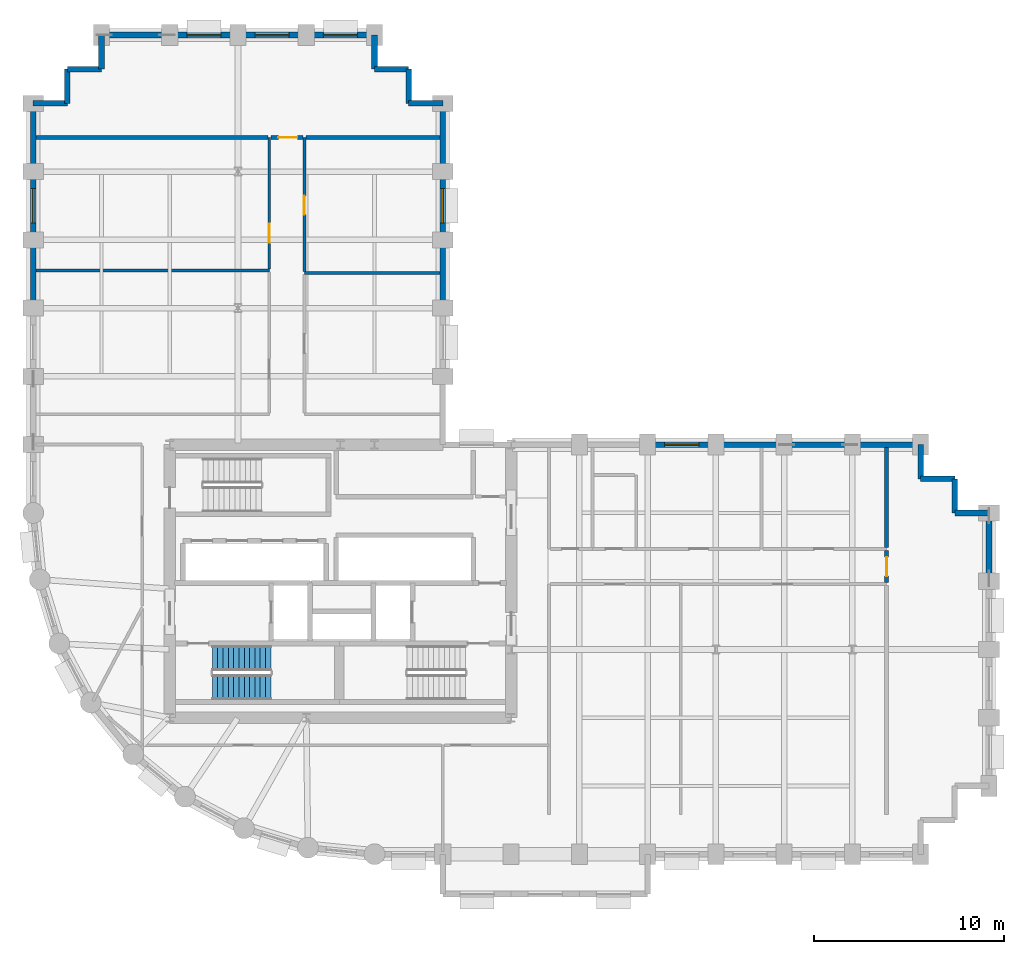
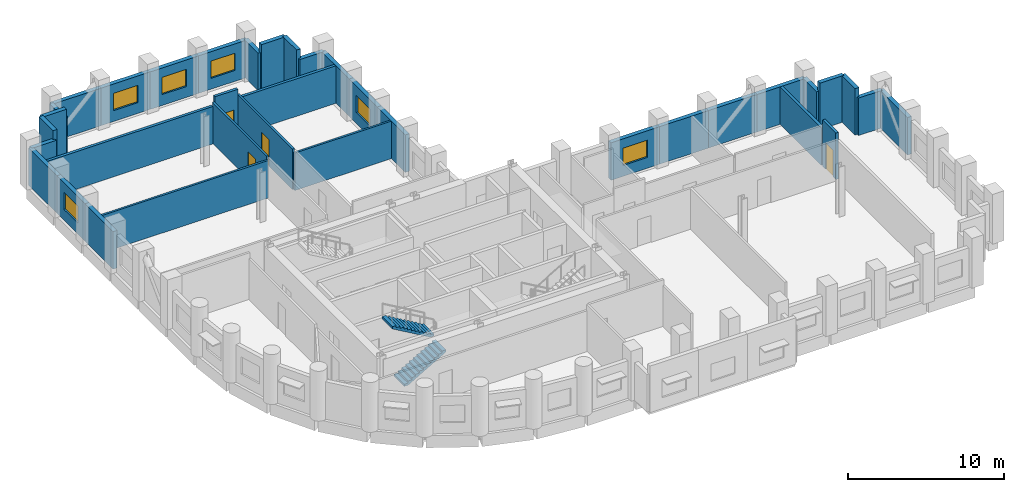
# One storey, part 6 of 10: 36 walls, 6 windows, 4 doors, 2 stair flights, 10 openings, 1 element without a shape of its own.
"""IFC4 building model written with IfcOpenShell, lengths in metres."""

import ifcopenshell
import ifcopenshell.guid

model = None  # the IFC model being written
_history = None  # IfcOwnerHistory: only IFC2X3 demands one
_inside = {}  # id of a spatial element -> (the spatial element, [elements in it])
_under = {}  # id of a project, library or spatial element -> (it, [spatial elements below it])
_declared = {}  # id of a project -> (the project, [libraries it declares])
_typed = {}  # id of a type object -> (the type object, [elements of that type])
_made_of = {}  # id of a material, layer set ... -> (it, [elements and type objects made of it])


def new_model(schema):
    """Start an empty IFC model of exactly this schema.

    Asked for "IFC4X3", IfcOpenShell would pick the latest addendum, in which some entities
    have other attributes; the version numbers below select the first issue.
    IFC2X3 requires an IfcOwnerHistory on every rooted entity: one is made here for all.
    """
    global model, _history
    if schema == "IFC4X3":
        model = ifcopenshell.file(schema_version=(4, 3, 0, 0))
    else:
        model = ifcopenshell.file(schema=schema)
    _inside.clear()
    _under.clear()
    _declared.clear()
    _typed.clear()
    _made_of.clear()
    _history = None
    if model.schema == "IFC2X3":
        org = make("IfcOrganization", Name="unknown")
        user = make(
            "IfcPersonAndOrganization",
            ThePerson=make("IfcPerson", FamilyName="unknown"),
            TheOrganization=org,
        )
        app = make(
            "IfcApplication",
            ApplicationDeveloper=org,
            Version="unknown",
            ApplicationFullName="unknown",
            ApplicationIdentifier="unknown",
        )
        _history = make(
            "IfcOwnerHistory",
            OwningUser=user,
            OwningApplication=app,
            ChangeAction="ADDED",
            CreationDate=0,
        )
    return model


def make(cls, **values):
    """One entity of the class cls with the attributes given. An attribute that is None is left unset."""
    return model.create_entity(
        cls, **{name: value for name, value in values.items() if value is not None}
    )


def rooted(cls, **values):
    """An entity with a GlobalId (a new one), such as an element, a storey or a relation."""
    return make(cls, GlobalId=ifcopenshell.guid.new(), OwnerHistory=_history, **values)


def si_unit(unit_type, name, prefix=None):
    """IfcSIUnit, for example si_unit("LENGTHUNIT", "METRE", prefix="MILLI")."""
    return make("IfcSIUnit", UnitType=unit_type, Prefix=prefix, Name=name)


def assignment(units):
    """IfcUnitAssignment: the units of a project."""
    return None if units is None else make("IfcUnitAssignment", Units=units)


def point(xyz):
    """IfcCartesianPoint."""
    return None if xyz is None else make("IfcCartesianPoint", Coordinates=xyz)


def direction(xyz):
    """IfcDirection."""
    return None if xyz is None else make("IfcDirection", DirectionRatios=xyz)


def frame(location, z_axis=None, x_axis=None):
    """IfcAxis2Placement3D, a coordinate frame: its origin and axes. An axis left out is left unset."""
    return make(
        "IfcAxis2Placement3D",
        Location=point(location),
        Axis=direction(z_axis),
        RefDirection=direction(x_axis),
    )


def frame_2d(location, x_axis=None):
    """IfcAxis2Placement2D, a coordinate frame in the plane: its origin and x axis."""
    return make(
        "IfcAxis2Placement2D", Location=point(location), RefDirection=direction(x_axis)
    )


def origin():
    """The frame at (0, 0, 0) with its axes left unset."""
    return frame((0.0, 0.0, 0.0))


def place(relative_to, where):
    """IfcLocalPlacement: puts the frame where relative to a parent placement (None: the world)."""
    return make(
        "IfcLocalPlacement", PlacementRelTo=relative_to, RelativePlacement=where
    )


def context(
    kind, dimensions, precision=None, world=None, true_north=None, identifier=None
):
    """IfcGeometricRepresentationContext, for example the 3D "Model" context."""
    return make(
        "IfcGeometricRepresentationContext",
        ContextIdentifier=identifier,
        ContextType=kind,
        CoordinateSpaceDimension=dimensions,
        Precision=precision,
        WorldCoordinateSystem=world,
        TrueNorth=true_north,
    )


def subcontext(parent, identifier, kind, view, scale=None):
    """IfcGeometricRepresentationSubContext, for example "Body" below "Model"."""
    return make(
        "IfcGeometricRepresentationSubContext",
        ContextIdentifier=identifier,
        ContextType=kind,
        ParentContext=parent,
        TargetScale=scale,
        TargetView=view,
    )


def project(units=None, contexts=None):
    """IfcProject with its units and contexts."""
    return rooted(
        "IfcProject",
        Name="project",
        RepresentationContexts=contexts,
        UnitsInContext=assignment(units),
    )


def spatial(cls, under=None, at=None, **own):
    """A site, building, storey or space (cls), placed at a placement, below another one or the project."""
    s = rooted(cls, ObjectPlacement=at, **own)
    if under is not None:
        _under.setdefault(under.id(), (under, []))[1].append(s)
    return s


def polyline(points):
    """IfcPolyline through the points."""
    return make("IfcPolyline", Points=[point(p) for p in points])


def profile(cls, at=None, kind="AREA", **sizes):
    """A parametric profile (cls). Its sizes go by their IFC names, for example OverallWidth=200.0."""
    return make(cls, ProfileType=kind, Position=at, **sizes)


def rectangle(**sizes):
    """IfcRectangleProfileDef."""
    return profile("IfcRectangleProfileDef", **sizes)


def outline(outer, holes=None, kind="AREA"):
    """IfcArbitraryClosedProfileDef: a profile drawn as a closed curve; with holes, ...WithVoids."""
    if holes is None:
        return make("IfcArbitraryClosedProfileDef", ProfileType=kind, OuterCurve=outer)
    return make(
        "IfcArbitraryProfileDefWithVoids",
        ProfileType=kind,
        OuterCurve=outer,
        InnerCurves=holes,
    )


def extrude(swept, where, along, depth):
    """IfcExtrudedAreaSolid: the profile swept, set in the frame where, extruded along a direction by depth."""
    return make(
        "IfcExtrudedAreaSolid",
        SweptArea=swept,
        Position=where,
        ExtrudedDirection=direction(along),
        Depth=depth,
    )


def shape(context_of_items, identifier, shape_type, items):
    """IfcShapeRepresentation: the items that make up one representation, for example the "Body"."""
    return make(
        "IfcShapeRepresentation",
        ContextOfItems=context_of_items,
        RepresentationIdentifier=identifier,
        RepresentationType=shape_type,
        Items=items,
    )


def material(Name=None, Category=None):
    """IfcMaterial."""
    return make("IfcMaterial", Name=Name, Category=Category)


def layer(
    of_material, thickness, ventilated=None, Name=None, Category=None, Priority=None
):
    """IfcMaterialLayer: one layer of a wall or slab, of a material (None: an air gap)."""
    return make(
        "IfcMaterialLayer",
        Material=of_material,
        LayerThickness=thickness,
        IsVentilated=ventilated,
        Name=Name,
        Category=Category,
        Priority=Priority,
    )


def layer_set(layers, Name=None):
    """IfcMaterialLayerSet."""
    return make("IfcMaterialLayerSet", MaterialLayers=layers, LayerSetName=Name)


def made_of(thing, what):
    """Note that an element or type object is made of a material, layer set ...; save() writes the relation."""
    if what is not None:
        _made_of.setdefault(what.id(), (what, []))[1].append(thing)
    return thing


def type_object(cls, material=None, **own):
    """A type object (cls), such as IfcWallType, which elements share."""
    return made_of(rooted(cls, **own), material)


def element(
    cls,
    number,
    at=None,
    inside=None,
    cuts=None,
    type_object=None,
    material=None,
    context=None,
    identifier="Body",
    shape_type=None,
    held_by="IfcProductDefinitionShape",
    body=None,
    shapes=None,
    **own,
):
    """One element of the class cls, such as IfcWall. Its Tag is "e" and its number.

    at: its placement. inside: the storey or other place that contains it. cuts: it is an
    opening in that element (IfcRelVoidsElement). A single representation is given by context,
    identifier, shape_type and body (its items); several are given by shapes. held_by: the class
    of the entity that holds the representations. save() writes the other relations.
    """
    e = rooted(cls, Tag="e%d" % number, ObjectPlacement=at, **own)
    if body is not None:
        shapes = [shape(context, identifier, shape_type, body)]
    if shapes is not None:
        e.Representation = make(held_by, Representations=shapes)
    if inside is not None:
        _inside.setdefault(inside.id(), (inside, []))[1].append(e)
    if cuts is not None:
        rooted(
            "IfcRelVoidsElement", RelatingBuildingElement=cuts, RelatedOpeningElement=e
        )
    if type_object is not None:
        _typed.setdefault(type_object.id(), (type_object, []))[1].append(e)
    return made_of(e, material)


def fill(opening, filler):
    """IfcRelFillsElement: the door or window that sits in an opening."""
    return rooted(
        "IfcRelFillsElement",
        RelatingOpeningElement=opening,
        RelatedBuildingElement=filler,
    )


def aggregate(whole, parts):
    """IfcRelAggregates: a whole, such as a stair, and the parts it consists of."""
    return rooted("IfcRelAggregates", RelatingObject=whole, RelatedObjects=parts)


def save(model, path):
    """Write the relations noted so far, then the file.

    IfcRelAggregates (storeys below a building ...), IfcRelContainedInSpatialStructure (elements
    in a storey), IfcRelDefinesByType, IfcRelAssociatesMaterial and IfcRelDeclares: one each for
    every whole, place, type object, material and project.
    """
    for whole, parts in _under.values():
        aggregate(whole, parts)
    for where, things in _inside.values():
        rooted(
            "IfcRelContainedInSpatialStructure",
            RelatedElements=things,
            RelatingStructure=where,
        )
    for kind, things in _typed.values():
        rooted("IfcRelDefinesByType", RelatedObjects=things, RelatingType=kind)
    for what, things in _made_of.values():
        rooted("IfcRelAssociatesMaterial", RelatedObjects=things, RelatingMaterial=what)
    for by, libraries in _declared.values():
        rooted("IfcRelDeclares", RelatingContext=by, RelatedDefinitions=libraries)
    model.write(path)


model = new_model("IFC4")

# Units and contexts
model_context = context("Model", 3, precision=1e-05, world=origin(), true_north=direction((0.0, 1.0)))
body_context = subcontext(model_context, "Body", "Model", "MODEL_VIEW")
ifc_project = project(units=[si_unit("LENGTHUNIT", "METRE"), si_unit("AREAUNIT", "SQUARE_METRE"), si_unit("VOLUMEUNIT", "CUBIC_METRE"), si_unit("PLANEANGLEUNIT", "RADIAN"), si_unit("MASSUNIT", "GRAM", prefix="KILO")], contexts=[model_context])

# Site, building, storey
site_placement = place(None, origin())
site = spatial("IfcSite", under=ifc_project, at=site_placement, CompositionType="ELEMENT")
building_placement = place(site_placement, origin())
building = spatial("IfcBuilding", under=site, at=building_placement, Name="Solnavia Interchange Tower", CompositionType="ELEMENT")
storey_placement = place(building_placement, frame((0.0, 0.0, 95.699951171875)))
storey = spatial("IfcBuildingStorey", under=building, at=storey_placement, Name="L23", CompositionType="ELEMENT", Elevation=95.699951171875)

# Wall
ifc_material_1 = material(Name="Gypsum Acoustic Twin-Stud & Mineral Wool", Category="gypsum")
ifc_layer_1 = layer(ifc_material_1, 0.199951171875)
ifc_layer_set_1 = layer_set([ifc_layer_1], Name="Gypsum Acoustic Twin-Stud & Mineral Wool")
wall_type_1 = type_object("IfcWallType", Name="Wall-ApartmentParty-200", PredefinedType="PARTITIONING", material=ifc_layer_set_1)
wall_1_placement = place(storey_placement, frame((52.199951171875, 19.779052734375, 0.0), z_axis=(0.0, 0.0, 1.0), x_axis=(0.0, 1.0, 0.0)))
element("IfcWall", 1, at=wall_1_placement, inside=storey, type_object=wall_type_1, Name="PTW-L23-23 Interior partition wall", PredefinedType="PARTITIONING", context=body_context, shape_type="SweptSolid", body=[
    extrude(rectangle(XDim=5.266845703125, YDim=0.199951171875, at=frame_2d((2.63330078125, 0.0))), origin(), (0.0, 0.0, 1.0), 2.929931640625),
])

# Wall, opening, door
wall_2_placement = place(storey_placement, frame((52.199951171875, 17.928955078125, 0.0), z_axis=(0.0, 0.0, 1.0), x_axis=(0.0, 1.0, 0.0)))
wall_2 = element("IfcWall", 2, at=wall_2_placement, inside=storey, type_object=wall_type_1, Name="PTW-L23-24 Interior partition wall", PredefinedType="PARTITIONING", context=body_context, shape_type="SweptSolid", body=[
    extrude(rectangle(XDim=1.692138671875, YDim=0.199951171875, at=frame_2d((0.84619140625, 0.0))), origin(), (0.0, 0.0, 1.0), 3.635009765625),
])
opening_1_placement = place(wall_2_placement, frame((0.339111328125, 0.0, 0.0)))
opening_1 = element("IfcOpeningElement", 3, at=opening_1_placement, cuts=wall_2, Name="Opening DR-06", PredefinedType="OPENING", context=body_context, shape_type="SweptSolid", body=[
    extrude(rectangle(XDim=1.0, YDim=2.10009765625, at=frame_2d((0.5, 1.050048828125))), frame((0.0, 0.10986328125, 0.0), z_axis=(0.0, -1.0, 0.0), x_axis=(1.0, 0.0, 0.0)), (0.0, 0.0, 1.0), 0.219970703125),
])
ifc_material_2 = material(Name="Engineered Timber Acoustic Fire Door", Category="wood")
door_type_1 = type_object("IfcDoorType", Name="Door-FlatEntry-1000x2100", OperationType="SINGLE_SWING_LEFT", PredefinedType="DOOR", material=ifc_material_2)
door_1_placement = place(opening_1_placement, origin())
door_1 = element("IfcDoor", 4, at=door_1_placement, inside=storey, type_object=door_type_1, Name="DR-L23-11 Interior room door", OperationType="SINGLE_SWING_RIGHT", OverallHeight=2.10009765625, OverallWidth=1.0, PredefinedType="DOOR", context=body_context, shape_type="SweptSolid", body=[
    extrude(rectangle(XDim=1.0, YDim=2.10009765625, at=frame_2d((0.5, 1.050048828125))), frame((0.0, 0.02490234375, 0.0), z_axis=(0.0, -1.0, 0.0), x_axis=(1.0, 0.0, 0.0)), (0.0, 0.0, 1.0), 0.050048828125),
])
fill(opening_1, door_1)

# Walls
wall_3_placement = place(storey_placement, frame((7.35400390625, 41.39990234375, 0.0), z_axis=(0.0, 0.0, 1.0), x_axis=(1.0, 0.0, 0.0)))
element("IfcWall", 5, at=wall_3_placement, inside=storey, type_object=wall_type_1, Name="PTW-L23-33 Interior partition wall", PredefinedType="PARTITIONING", context=body_context, shape_type="SweptSolid", body=[
    extrude(rectangle(XDim=12.217041015625, YDim=0.199951171875, at=frame_2d((6.1083984375, 0.0))), origin(), (0.0, 0.0, 1.0), 2.929931640625),
])
wall_4_placement = place(storey_placement, frame((21.5791015625, 41.39990234375, 0.0), z_axis=(0.0, 0.0, 1.0), x_axis=(1.0, 0.0, 0.0)))
element("IfcWall", 6, at=wall_4_placement, inside=storey, type_object=wall_type_1, Name="PTW-L23-34 Interior partition wall", PredefinedType="PARTITIONING", context=body_context, shape_type="SweptSolid", body=[
    extrude(rectangle(XDim=7.06689453125, YDim=0.199951171875, at=frame_2d((3.533447265625, 0.0))), origin(), (0.0, 0.0, 1.0), 2.929931640625),
])

# Wall, opening, door
wall_5_placement = place(storey_placement, frame((19.72900390625, 41.39990234375, 0.0), z_axis=(0.0, 0.0, 1.0), x_axis=(1.0, 0.0, 0.0)))
wall_5 = element("IfcWall", 7, at=wall_5_placement, inside=storey, type_object=wall_type_1, Name="PTW-L23-35 Interior partition wall", PredefinedType="PARTITIONING", context=body_context, shape_type="SweptSolid", body=[
    extrude(rectangle(XDim=1.69189453125, YDim=0.199951171875, at=frame_2d((0.845947265625, 0.0))), origin(), (0.0, 0.0, 1.0), 3.635009765625),
])
opening_2_placement = place(wall_5_placement, frame((0.405029296875, 0.0, 0.0)))
opening_2 = element("IfcOpeningElement", 8, at=opening_2_placement, cuts=wall_5, Name="Opening DR-06", PredefinedType="OPENING", context=body_context, shape_type="SweptSolid", body=[
    extrude(rectangle(XDim=1.0, YDim=2.10009765625, at=frame_2d((0.5, 1.050048828125))), frame((0.0, 0.10986328125, 0.0), z_axis=(0.0, -1.0, 0.0), x_axis=(1.0, 0.0, 0.0)), (0.0, 0.0, 1.0), 0.219970703125),
])
door_2_placement = place(opening_2_placement, origin())
door_2 = element("IfcDoor", 9, at=door_2_placement, inside=storey, type_object=door_type_1, Name="DR-L23-16 Interior room door", OperationType="SINGLE_SWING_LEFT", OverallHeight=2.10009765625, OverallWidth=1.0, PredefinedType="DOOR", context=body_context, shape_type="SweptSolid", body=[
    extrude(rectangle(XDim=1.0, YDim=2.10009765625, at=frame_2d((0.5, 1.050048828125))), frame((0.0, 0.02490234375, 0.0), z_axis=(0.0, -1.0, 0.0), x_axis=(1.0, 0.0, 0.0)), (0.0, 0.0, 1.0), 0.050048828125),
])
fill(opening_2, door_2)

# Walls
ifc_material_3 = material(Name="Concrete C40/50", Category="concrete")
ifc_layer_2 = layer(ifc_material_3, 0.300048828125)
ifc_layer_set_2 = layer_set([ifc_layer_2], Name="Concrete C40/50")
wall_type_2 = type_object("IfcWallType", Name="Wall-ExtSpandrel-300", PredefinedType="STANDARD", material=ifc_layer_set_2)
wall_6_placement = place(storey_placement, frame((57.60009765625, 21.60009765625, 0.0), z_axis=(0.0, 0.0, 1.0), x_axis=(0.0, -1.0, 0.0)))
element("IfcWall", 10, at=wall_6_placement, inside=storey, type_object=wall_type_2, Name="EXW-L23-18 Exterior precast spandrel wall", PredefinedType="STANDARD", context=body_context, shape_type="SweptSolid", body=[
    extrude(rectangle(XDim=3.60009765625, YDim=0.300048828125, at=frame_2d((1.800048828125, 0.0))), origin(), (0.0, 0.0, 1.0), 2.929931640625),
])
wall_7_placement = place(storey_placement, frame((55.800048828125, 21.60009765625, 0.0), z_axis=(0.0, 0.0, 1.0), x_axis=(1.0, 0.0, 0.0)))
element("IfcWall", 11, at=wall_7_placement, inside=storey, type_object=wall_type_2, Name="EXW-L23-19 Exterior precast spandrel wall", PredefinedType="STANDARD", context=body_context, shape_type="SweptSolid", body=[
    extrude(rectangle(XDim=1.800048828125, YDim=0.300048828125, at=frame_2d((0.89990234375, 0.0))), origin(), (0.0, 0.0, 1.0), 2.929931640625),
])
wall_8_placement = place(storey_placement, frame((55.800048828125, 23.39990234375, 0.0), z_axis=(0.0, 0.0, 1.0), x_axis=(0.0, -1.0, 0.0)))
element("IfcWall", 12, at=wall_8_placement, inside=storey, type_object=wall_type_2, Name="EXW-L23-20 Exterior precast spandrel wall", PredefinedType="STANDARD", context=body_context, shape_type="SweptSolid", body=[
    extrude(rectangle(XDim=1.7998046875, YDim=0.300048828125, at=frame_2d((0.89990234375, 0.0))), origin(), (0.0, 0.0, 1.0), 3.635009765625),
])
wall_9_placement = place(storey_placement, frame((54.0, 23.39990234375, 0.0), z_axis=(0.0, 0.0, 1.0), x_axis=(1.0, 0.0, 0.0)))
element("IfcWall", 13, at=wall_9_placement, inside=storey, type_object=wall_type_2, Name="EXW-L23-21 Exterior precast spandrel wall", PredefinedType="STANDARD", context=body_context, shape_type="SweptSolid", body=[
    extrude(rectangle(XDim=1.800048828125, YDim=0.300048828125, at=frame_2d((0.89990234375, 0.0))), origin(), (0.0, 0.0, 1.0), 3.635009765625),
])
wall_10_placement = place(storey_placement, frame((54.0, 25.199951171875, 0.0), z_axis=(0.0, 0.0, 1.0), x_axis=(0.0, -1.0, 0.0)))
element("IfcWall", 14, at=wall_10_placement, inside=storey, type_object=wall_type_2, Name="EXW-L23-22 Exterior precast spandrel wall", PredefinedType="STANDARD", context=body_context, shape_type="SweptSolid", body=[
    extrude(rectangle(XDim=1.800048828125, YDim=0.300048828125, at=frame_2d((0.89990234375, 0.0))), origin(), (0.0, 0.0, 1.0), 2.929931640625),
])
wall_11_placement = place(storey_placement, frame((50.39990234375, 25.199951171875, 0.0), z_axis=(0.0, 0.0, 1.0), x_axis=(1.0, 0.0, 0.0)))
element("IfcWall", 15, at=wall_11_placement, inside=storey, type_object=wall_type_2, Name="EXW-L23-23 Exterior precast spandrel wall", PredefinedType="STANDARD", context=body_context, shape_type="SweptSolid", body=[
    extrude(rectangle(XDim=3.60009765625, YDim=0.300048828125, at=frame_2d((1.800048828125, 0.0))), origin(), (0.0, 0.0, 1.0), 2.929931640625),
])
wall_12_placement = place(storey_placement, frame((46.800048828125, 25.199951171875, 0.0), z_axis=(0.0, 0.0, 1.0), x_axis=(1.0, 0.0, 0.0)))
element("IfcWall", 16, at=wall_12_placement, inside=storey, type_object=wall_type_2, Name="EXW-L23-24 Exterior precast spandrel wall", PredefinedType="STANDARD", context=body_context, shape_type="SweptSolid", body=[
    extrude(rectangle(XDim=3.599853515625, YDim=0.300048828125, at=frame_2d((1.7998046875, 0.0))), origin(), (0.0, 0.0, 1.0), 2.929931640625),
])
wall_13_placement = place(storey_placement, frame((43.199951171875, 25.199951171875, 0.0), z_axis=(0.0, 0.0, 1.0), x_axis=(1.0, 0.0, 0.0)))
element("IfcWall", 17, at=wall_13_placement, inside=storey, type_object=wall_type_2, Name="EXW-L23-25 Exterior precast spandrel wall", PredefinedType="STANDARD", context=body_context, shape_type="SweptSolid", body=[
    extrude(rectangle(XDim=3.60009765625, YDim=0.300048828125, at=frame_2d((1.800048828125, 0.0))), origin(), (0.0, 0.0, 1.0), 2.929931640625),
])

# Wall, opening, window
wall_14_placement = place(storey_placement, frame((39.60009765625, 25.199951171875, 0.0), z_axis=(0.0, 0.0, 1.0), x_axis=(1.0, 0.0, 0.0)))
wall_14 = element("IfcWall", 18, at=wall_14_placement, inside=storey, type_object=wall_type_2, Name="EXW-L23-26 Exterior precast spandrel wall", PredefinedType="STANDARD", context=body_context, shape_type="SweptSolid", body=[
    extrude(rectangle(XDim=3.599853515625, YDim=0.300048828125, at=frame_2d((1.7998046875, 0.0))), origin(), (0.0, 0.0, 1.0), 2.929931640625),
])
opening_3_placement = place(wall_14_placement, frame((0.89990234375, 0.0, 0.85009765625)))
opening_3 = element("IfcOpeningElement", 19, at=opening_3_placement, cuts=wall_14, Name="Opening WIN-02", PredefinedType="OPENING", context=body_context, shape_type="SweptSolid", body=[
    extrude(rectangle(XDim=1.800048828125, YDim=1.35009765625, at=frame_2d((0.89990234375, 0.675048828125))), frame((0.0, 0.16015625, 0.0), z_axis=(0.0, -1.0, 0.0), x_axis=(1.0, 0.0, 0.0)), (0.0, 0.0, 1.0), 0.320068359375),
])
ifc_material_4 = material(Name="Thermal-Break Aluminium & Low-E Glass", Category="aluminium")
window_type = type_object("IfcWindowType", Name="Window-Ribbon-1800x1350", PartitioningType="SINGLE_PANEL", PredefinedType="WINDOW", material=ifc_material_4)
window_1_placement = place(opening_3_placement, origin())
window_1 = element("IfcWindow", 20, at=window_1_placement, inside=storey, type_object=window_type, Name="WIN-L23-26 Facade ribbon window", OverallHeight=1.35009765625, OverallWidth=1.800048828125, PartitioningType="SINGLE_PANEL", PredefinedType="WINDOW", context=body_context, shape_type="SweptSolid", body=[
    extrude(rectangle(XDim=1.800048828125, YDim=1.35009765625, at=frame_2d((0.89990234375, 0.675048828125))), frame((0.0, 0.030029296875, 0.0), z_axis=(0.0, -1.0, 0.0), x_axis=(1.0, 0.0, 0.0)), (0.0, 0.0, 1.0), 0.06005859375),
])
fill(opening_3, window_1)

# Wall
wall_15_placement = place(storey_placement, frame((28.800048828125, 36.0, 0.0), z_axis=(0.0, 0.0, 1.0), x_axis=(0.0, -1.0, 0.0)))
element("IfcWall", 21, at=wall_15_placement, inside=storey, type_object=wall_type_2, Name="EXW-L23-32 Exterior precast spandrel wall", PredefinedType="STANDARD", context=body_context, shape_type="SweptSolid", body=[
    extrude(rectangle(XDim=3.60009765625, YDim=0.300048828125, at=frame_2d((1.800048828125, 0.0))), origin(), (0.0, 0.0, 1.0), 2.929931640625),
])

# Wall, opening, window
wall_16_placement = place(storey_placement, frame((28.800048828125, 39.60009765625, 0.0), z_axis=(0.0, 0.0, 1.0), x_axis=(0.0, -1.0, 0.0)))
wall_16 = element("IfcWall", 22, at=wall_16_placement, inside=storey, type_object=wall_type_2, Name="EXW-L23-33 Exterior precast spandrel wall", PredefinedType="STANDARD", context=body_context, shape_type="SweptSolid", body=[
    extrude(rectangle(XDim=3.60009765625, YDim=0.300048828125, at=frame_2d((1.800048828125, 0.0))), origin(), (0.0, 0.0, 1.0), 2.929931640625),
])
opening_4_placement = place(wall_16_placement, frame((0.89990234375, 0.0, 0.85009765625)))
opening_4 = element("IfcOpeningElement", 23, at=opening_4_placement, cuts=wall_16, Name="Opening WIN-02", PredefinedType="OPENING", context=body_context, shape_type="SweptSolid", body=[
    extrude(rectangle(XDim=1.800048828125, YDim=1.35009765625, at=frame_2d((0.89990234375, 0.675048828125))), frame((0.0, 0.16015625, 0.0), z_axis=(0.0, -1.0, 0.0), x_axis=(1.0, 0.0, 0.0)), (0.0, 0.0, 1.0), 0.320068359375),
])
window_2_placement = place(opening_4_placement, origin())
window_2 = element("IfcWindow", 24, at=window_2_placement, inside=storey, type_object=window_type, Name="WIN-L23-33 Facade ribbon window", OverallHeight=1.35009765625, OverallWidth=1.800048828125, PartitioningType="SINGLE_PANEL", PredefinedType="WINDOW", context=body_context, shape_type="SweptSolid", body=[
    extrude(rectangle(XDim=1.800048828125, YDim=1.35009765625, at=frame_2d((0.89990234375, 0.675048828125))), frame((0.0, 0.030029296875, 0.0), z_axis=(0.0, -1.0, 0.0), x_axis=(1.0, 0.0, 0.0)), (0.0, 0.0, 1.0), 0.06005859375),
])
fill(opening_4, window_2)

# Walls
wall_17_placement = place(storey_placement, frame((28.800048828125, 43.199951171875, 0.0), z_axis=(0.0, 0.0, 1.0), x_axis=(0.0, -1.0, 0.0)))
element("IfcWall", 25, at=wall_17_placement, inside=storey, type_object=wall_type_2, Name="EXW-L23-34 Exterior precast spandrel wall", PredefinedType="STANDARD", context=body_context, shape_type="SweptSolid", body=[
    extrude(rectangle(XDim=3.599853515625, YDim=0.300048828125, at=frame_2d((1.7998046875, 0.0))), origin(), (0.0, 0.0, 1.0), 2.929931640625),
])
wall_18_placement = place(storey_placement, frame((27.0, 43.199951171875, 0.0), z_axis=(0.0, 0.0, 1.0), x_axis=(1.0, 0.0, 0.0)))
element("IfcWall", 26, at=wall_18_placement, inside=storey, type_object=wall_type_2, Name="EXW-L23-35 Exterior precast spandrel wall", PredefinedType="STANDARD", context=body_context, shape_type="SweptSolid", body=[
    extrude(rectangle(XDim=1.800048828125, YDim=0.300048828125, at=frame_2d((0.89990234375, 0.0))), origin(), (0.0, 0.0, 1.0), 2.929931640625),
])
for number, where, z_axis, x_axis, name in (
    (27, (27.0, 43.199951171875, 0.0), (0.0, 0.0, 1.0), (0.0, 1.0, 0.0), "EXW-L23-36 Exterior precast spandrel wall"),
    (28, (25.199951171875, 45.0, 0.0), (0.0, 0.0, 1.0), (1.0, 0.0, 0.0), "EXW-L23-37 Exterior precast spandrel wall"),
):
    element("IfcWall", number, at=place(storey_placement, frame(where, z_axis=z_axis, x_axis=x_axis)), inside=storey, type_object=wall_type_2, Name=name, PredefinedType="STANDARD", context=body_context, shape_type="SweptSolid", body=[
        extrude(rectangle(XDim=1.800048828125, YDim=0.300048828125, at=frame_2d((0.89990234375, 0.0))), origin(), (0.0, 0.0, 1.0), 3.635009765625),
    ])
wall_19_placement = place(storey_placement, frame((25.199951171875, 45.0, 0.0), z_axis=(0.0, 0.0, 1.0), x_axis=(0.0, 1.0, 0.0)))
element("IfcWall", 29, at=wall_19_placement, inside=storey, type_object=wall_type_2, Name="EXW-L23-38 Exterior precast spandrel wall", PredefinedType="STANDARD", context=body_context, shape_type="SweptSolid", body=[
    extrude(rectangle(XDim=1.800048828125, YDim=0.300048828125, at=frame_2d((0.89990234375, 0.0))), origin(), (0.0, 0.0, 1.0), 2.929931640625),
])

# Wall, opening, window
wall_20_placement = place(storey_placement, frame((21.60009765625, 46.800048828125, 0.0), z_axis=(0.0, 0.0, 1.0), x_axis=(1.0, 0.0, 0.0)))
wall_20 = element("IfcWall", 30, at=wall_20_placement, inside=storey, type_object=wall_type_2, Name="EXW-L23-39 Exterior precast spandrel wall", PredefinedType="STANDARD", context=body_context, shape_type="SweptSolid", body=[
    extrude(rectangle(XDim=3.599853515625, YDim=0.300048828125, at=frame_2d((1.7998046875, 0.0))), origin(), (0.0, 0.0, 1.0), 2.929931640625),
])
opening_5_placement = place(wall_20_placement, frame((0.89990234375, 0.0, 0.85009765625)))
opening_5 = element("IfcOpeningElement", 31, at=opening_5_placement, cuts=wall_20, Name="Opening WIN-02", PredefinedType="OPENING", context=body_context, shape_type="SweptSolid", body=[
    extrude(rectangle(XDim=1.800048828125, YDim=1.35009765625, at=frame_2d((0.89990234375, 0.675048828125))), frame((0.0, 0.16015625, 0.0), z_axis=(0.0, -1.0, 0.0), x_axis=(1.0, 0.0, 0.0)), (0.0, 0.0, 1.0), 0.320068359375),
])
window_3_placement = place(opening_5_placement, origin())
window_3 = element("IfcWindow", 32, at=window_3_placement, inside=storey, type_object=window_type, Name="WIN-L23-39 Facade ribbon window", OverallHeight=1.35009765625, OverallWidth=1.800048828125, PartitioningType="SINGLE_PANEL", PredefinedType="WINDOW", context=body_context, shape_type="SweptSolid", body=[
    extrude(rectangle(XDim=1.800048828125, YDim=1.35009765625, at=frame_2d((0.89990234375, 0.675048828125))), frame((0.0, 0.030029296875, 0.0), z_axis=(0.0, -1.0, 0.0), x_axis=(1.0, 0.0, 0.0)), (0.0, 0.0, 1.0), 0.06005859375),
])
fill(opening_5, window_3)

wall_21_placement = place(storey_placement, frame((18.0, 46.800048828125, 0.0), z_axis=(0.0, 0.0, 1.0), x_axis=(1.0, 0.0, 0.0)))
wall_21 = element("IfcWall", 33, at=wall_21_placement, inside=storey, type_object=wall_type_2, Name="EXW-L23-40 Exterior precast spandrel wall", PredefinedType="STANDARD", context=body_context, shape_type="SweptSolid", body=[
    extrude(rectangle(XDim=3.60009765625, YDim=0.300048828125, at=frame_2d((1.800048828125, 0.0))), origin(), (0.0, 0.0, 1.0), 2.929931640625),
])
opening_6_placement = place(wall_21_placement, frame((0.89990234375, 0.0, 0.85009765625)))
opening_6 = element("IfcOpeningElement", 34, at=opening_6_placement, cuts=wall_21, Name="Opening WIN-02", PredefinedType="OPENING", context=body_context, shape_type="SweptSolid", body=[
    extrude(rectangle(XDim=1.800048828125, YDim=1.35009765625, at=frame_2d((0.89990234375, 0.675048828125))), frame((0.0, 0.16015625, 0.0), z_axis=(0.0, -1.0, 0.0), x_axis=(1.0, 0.0, 0.0)), (0.0, 0.0, 1.0), 0.320068359375),
])
window_4_placement = place(opening_6_placement, origin())
window_4 = element("IfcWindow", 35, at=window_4_placement, inside=storey, type_object=window_type, Name="WIN-L23-40 Facade ribbon window", OverallHeight=1.35009765625, OverallWidth=1.800048828125, PartitioningType="SINGLE_PANEL", PredefinedType="WINDOW", context=body_context, shape_type="SweptSolid", body=[
    extrude(rectangle(XDim=1.800048828125, YDim=1.35009765625, at=frame_2d((0.89990234375, 0.675048828125))), frame((0.0, 0.030029296875, 0.0), z_axis=(0.0, -1.0, 0.0), x_axis=(1.0, 0.0, 0.0)), (0.0, 0.0, 1.0), 0.06005859375),
])
fill(opening_6, window_4)

wall_22_placement = place(storey_placement, frame((14.39990234375, 46.800048828125, 0.0), z_axis=(0.0, 0.0, 1.0), x_axis=(1.0, 0.0, 0.0)))
wall_22 = element("IfcWall", 36, at=wall_22_placement, inside=storey, type_object=wall_type_2, Name="EXW-L23-41 Exterior precast spandrel wall", PredefinedType="STANDARD", context=body_context, shape_type="SweptSolid", body=[
    extrude(rectangle(XDim=3.60009765625, YDim=0.300048828125, at=frame_2d((1.800048828125, 0.0))), origin(), (0.0, 0.0, 1.0), 2.929931640625),
])
opening_7_placement = place(wall_22_placement, frame((0.89990234375, 0.0, 0.85009765625)))
opening_7 = element("IfcOpeningElement", 37, at=opening_7_placement, cuts=wall_22, Name="Opening WIN-02", PredefinedType="OPENING", context=body_context, shape_type="SweptSolid", body=[
    extrude(rectangle(XDim=1.800048828125, YDim=1.35009765625, at=frame_2d((0.89990234375, 0.675048828125))), frame((0.0, 0.16015625, 0.0), z_axis=(0.0, -1.0, 0.0), x_axis=(1.0, 0.0, 0.0)), (0.0, 0.0, 1.0), 0.320068359375),
])
window_5_placement = place(opening_7_placement, origin())
window_5 = element("IfcWindow", 38, at=window_5_placement, inside=storey, type_object=window_type, Name="WIN-L23-41 Facade ribbon window", OverallHeight=1.35009765625, OverallWidth=1.800048828125, PartitioningType="SINGLE_PANEL", PredefinedType="WINDOW", context=body_context, shape_type="SweptSolid", body=[
    extrude(rectangle(XDim=1.800048828125, YDim=1.35009765625, at=frame_2d((0.89990234375, 0.675048828125))), frame((0.0, 0.030029296875, 0.0), z_axis=(0.0, -1.0, 0.0), x_axis=(1.0, 0.0, 0.0)), (0.0, 0.0, 1.0), 0.06005859375),
])
fill(opening_7, window_5)

# Walls
wall_23_placement = place(storey_placement, frame((10.800048828125, 46.800048828125, 0.0), z_axis=(0.0, 0.0, 1.0), x_axis=(1.0, 0.0, 0.0)))
element("IfcWall", 39, at=wall_23_placement, inside=storey, type_object=wall_type_2, Name="EXW-L23-42 Exterior precast spandrel wall", PredefinedType="STANDARD", context=body_context, shape_type="SweptSolid", body=[
    extrude(rectangle(XDim=3.599853515625, YDim=0.300048828125, at=frame_2d((1.7998046875, 0.0))), origin(), (0.0, 0.0, 1.0), 2.929931640625),
])
wall_24_placement = place(storey_placement, frame((10.800048828125, 45.0, 0.0), z_axis=(0.0, 0.0, 1.0), x_axis=(0.0, 1.0, 0.0)))
element("IfcWall", 40, at=wall_24_placement, inside=storey, type_object=wall_type_2, Name="EXW-L23-43 Exterior precast spandrel wall", PredefinedType="STANDARD", context=body_context, shape_type="SweptSolid", body=[
    extrude(rectangle(XDim=1.800048828125, YDim=0.300048828125, at=frame_2d((0.89990234375, 0.0))), origin(), (0.0, 0.0, 1.0), 2.929931640625),
])
for number, where, z_axis, x_axis, name in (
    (41, (9.0, 45.0, 0.0), (0.0, 0.0, 1.0), (1.0, 0.0, 0.0), "EXW-L23-44 Exterior precast spandrel wall"),
    (42, (9.0, 43.199951171875, 0.0), (0.0, 0.0, 1.0), (0.0, 1.0, 0.0), "EXW-L23-45 Exterior precast spandrel wall"),
):
    element("IfcWall", number, at=place(storey_placement, frame(where, z_axis=z_axis, x_axis=x_axis)), inside=storey, type_object=wall_type_2, Name=name, PredefinedType="STANDARD", context=body_context, shape_type="SweptSolid", body=[
        extrude(rectangle(XDim=1.800048828125, YDim=0.300048828125, at=frame_2d((0.89990234375, 0.0))), origin(), (0.0, 0.0, 1.0), 3.635009765625),
    ])
wall_25_placement = place(storey_placement, frame((7.199951171875, 43.199951171875, 0.0), z_axis=(0.0, 0.0, 1.0), x_axis=(1.0, 0.0, 0.0)))
element("IfcWall", 43, at=wall_25_placement, inside=storey, type_object=wall_type_2, Name="EXW-L23-46 Exterior precast spandrel wall", PredefinedType="STANDARD", context=body_context, shape_type="SweptSolid", body=[
    extrude(rectangle(XDim=1.800048828125, YDim=0.300048828125, at=frame_2d((0.89990234375, 0.0))), origin(), (0.0, 0.0, 1.0), 2.929931640625),
])
wall_26_placement = place(storey_placement, frame((7.199951171875, 39.60009765625, 0.0), z_axis=(0.0, 0.0, 1.0), x_axis=(0.0, 1.0, 0.0)))
element("IfcWall", 44, at=wall_26_placement, inside=storey, type_object=wall_type_2, Name="EXW-L23-47 Exterior precast spandrel wall", PredefinedType="STANDARD", context=body_context, shape_type="SweptSolid", body=[
    extrude(rectangle(XDim=3.599853515625, YDim=0.300048828125, at=frame_2d((1.7998046875, 0.0))), origin(), (0.0, 0.0, 1.0), 2.929931640625),
])

# Wall, opening, window
wall_27_placement = place(storey_placement, frame((7.199951171875, 36.0, 0.0), z_axis=(0.0, 0.0, 1.0), x_axis=(0.0, 1.0, 0.0)))
wall_27 = element("IfcWall", 45, at=wall_27_placement, inside=storey, type_object=wall_type_2, Name="EXW-L23-48 Exterior precast spandrel wall", PredefinedType="STANDARD", context=body_context, shape_type="SweptSolid", body=[
    extrude(rectangle(XDim=3.60009765625, YDim=0.300048828125, at=frame_2d((1.800048828125, 0.0))), origin(), (0.0, 0.0, 1.0), 2.929931640625),
])
opening_8_placement = place(wall_27_placement, frame((0.89990234375, 0.0, 0.85009765625)))
opening_8 = element("IfcOpeningElement", 46, at=opening_8_placement, cuts=wall_27, Name="Opening WIN-02", PredefinedType="OPENING", context=body_context, shape_type="SweptSolid", body=[
    extrude(rectangle(XDim=1.800048828125, YDim=1.35009765625, at=frame_2d((0.89990234375, 0.675048828125))), frame((0.0, 0.16015625, 0.0), z_axis=(0.0, -1.0, 0.0), x_axis=(1.0, 0.0, 0.0)), (0.0, 0.0, 1.0), 0.320068359375),
])
window_6_placement = place(opening_8_placement, origin())
window_6 = element("IfcWindow", 47, at=window_6_placement, inside=storey, type_object=window_type, Name="WIN-L23-48 Facade ribbon window", OverallHeight=1.35009765625, OverallWidth=1.800048828125, PartitioningType="SINGLE_PANEL", PredefinedType="WINDOW", context=body_context, shape_type="SweptSolid", body=[
    extrude(rectangle(XDim=1.800048828125, YDim=1.35009765625, at=frame_2d((0.89990234375, 0.675048828125))), frame((0.0, 0.030029296875, 0.0), z_axis=(0.0, -1.0, 0.0), x_axis=(1.0, 0.0, 0.0)), (0.0, 0.0, 1.0), 0.06005859375),
])
fill(opening_8, window_6)

# Walls
wall_28_placement = place(storey_placement, frame((7.199951171875, 32.39990234375, 0.0), z_axis=(0.0, 0.0, 1.0), x_axis=(0.0, 1.0, 0.0)))
element("IfcWall", 48, at=wall_28_placement, inside=storey, type_object=wall_type_2, Name="EXW-L23-49 Exterior precast spandrel wall", PredefinedType="STANDARD", context=body_context, shape_type="SweptSolid", body=[
    extrude(rectangle(XDim=3.60009765625, YDim=0.300048828125, at=frame_2d((1.800048828125, 0.0))), origin(), (0.0, 0.0, 1.0), 2.929931640625),
])
ifc_material_5 = material(Name="Gypsum Plasterboard & Steel Stud", Category="steel")
ifc_layer_3 = layer(ifc_material_5, 0.14990234375)
ifc_layer_set_3 = layer_set([ifc_layer_3], Name="Gypsum Plasterboard & Steel Stud")
wall_type_3 = type_object("IfcWallType", Name="Wall-Partition-150", PredefinedType="PARTITIONING", material=ifc_layer_set_3)
wall_29_placement = place(storey_placement, frame((7.35400390625, 34.389892578125, 0.0), z_axis=(0.0, 0.0, 1.0), x_axis=(1.0, 0.0, 0.0)))
element("IfcWall", 49, at=wall_29_placement, inside=storey, type_object=wall_type_3, Name="PTW-L23-26 Interior partition wall", PredefinedType="PARTITIONING", context=body_context, shape_type="SweptSolid", body=[
    extrude(rectangle(XDim=12.2958984375, YDim=0.14990234375, at=frame_2d((6.14794921875, 0.0))), origin(), (0.0, 0.0, 1.0), 2.929931640625),
])

# Wall, opening, door
wall_30_placement = place(storey_placement, frame((19.64990234375, 34.468994140625, 0.0), z_axis=(0.0, 0.0, 1.0), x_axis=(0.0, 1.0, 0.0)))
wall_30 = element("IfcWall", 50, at=wall_30_placement, inside=storey, type_object=wall_type_3, Name="PTW-L23-28 Interior partition wall", PredefinedType="PARTITIONING", context=body_context, shape_type="SweptSolid", body=[
    extrude(rectangle(XDim=6.930908203125, YDim=0.14990234375, at=frame_2d((3.46533203125, 0.0))), origin(), (0.0, 0.0, 1.0), 3.18994140625),
])
opening_9_placement = place(wall_30_placement, frame((1.385986328125, 0.0, 0.0)))
opening_9 = element("IfcOpeningElement", 51, at=opening_9_placement, cuts=wall_30, Name="Opening DR-07", PredefinedType="OPENING", context=body_context, shape_type="SweptSolid", body=[
    extrude(rectangle(XDim=1.0, YDim=2.10009765625, at=frame_2d((0.5, 1.050048828125))), frame((0.0, 0.0849609375, 0.0), z_axis=(0.0, -1.0, 0.0), x_axis=(1.0, 0.0, 0.0)), (0.0, 0.0, 1.0), 0.169921875),
])
ifc_material_6 = material(Name="Timber & Acoustic Glazed Office Door", Category="wood")
door_type_2 = type_object("IfcDoorType", Name="Door-Office-1000x2100", OperationType="SINGLE_SWING_RIGHT", PredefinedType="DOOR", material=ifc_material_6)
door_3_placement = place(opening_9_placement, origin())
door_3 = element("IfcDoor", 52, at=door_3_placement, inside=storey, type_object=door_type_2, Name="DR-L23-13 Interior room door", OperationType="SINGLE_SWING_RIGHT", OverallHeight=2.10009765625, OverallWidth=1.0, PredefinedType="DOOR", context=body_context, shape_type="SweptSolid", body=[
    extrude(rectangle(XDim=1.0, YDim=2.10009765625, at=frame_2d((0.5, 1.050048828125))), frame((0.0, 0.02490234375, 0.0), z_axis=(0.0, -1.0, 0.0), x_axis=(1.0, 0.0, 0.0)), (0.0, 0.0, 1.0), 0.050048828125),
])
fill(opening_9, door_3)

# Wall
wall_31_placement = place(storey_placement, frame((21.5, 34.25, 0.0), z_axis=(0.0, 0.0, 1.0), x_axis=(1.0, 0.0, 0.0)))
element("IfcWall", 53, at=wall_31_placement, inside=storey, type_object=wall_type_3, Name="PTW-L23-30 Interior partition wall", PredefinedType="PARTITIONING", context=body_context, shape_type="SweptSolid", body=[
    extrude(rectangle(XDim=7.14599609375, YDim=0.14990234375, at=frame_2d((3.572998046875, 0.0))), origin(), (0.0, 0.0, 1.0), 2.929931640625),
])

# Wall, opening, door
wall_32_placement = place(storey_placement, frame((21.5, 34.3291015625, 0.0), z_axis=(0.0, 0.0, 1.0), x_axis=(0.0, 1.0, 0.0)))
wall_32 = element("IfcWall", 54, at=wall_32_placement, inside=storey, type_object=wall_type_3, Name="PTW-L23-32 Interior partition wall", PredefinedType="PARTITIONING", context=body_context, shape_type="SweptSolid", body=[
    extrude(rectangle(XDim=7.07080078125, YDim=0.14990234375, at=frame_2d((3.535400390625, 0.0))), origin(), (0.0, 0.0, 1.0), 3.179931640625),
])
opening_10_placement = place(wall_32_placement, frame((2.99609375, 0.0, 0.0)))
opening_10 = element("IfcOpeningElement", 55, at=opening_10_placement, cuts=wall_32, Name="Opening DR-07", PredefinedType="OPENING", context=body_context, shape_type="SweptSolid", body=[
    extrude(rectangle(XDim=1.0, YDim=2.10009765625, at=frame_2d((0.5, 1.050048828125))), frame((0.0, 0.0849609375, 0.0), z_axis=(0.0, -1.0, 0.0), x_axis=(1.0, 0.0, 0.0)), (0.0, 0.0, 1.0), 0.169921875),
])
door_4_placement = place(opening_10_placement, origin())
door_4 = element("IfcDoor", 56, at=door_4_placement, inside=storey, type_object=door_type_2, Name="DR-L23-15 Interior room door", OperationType="SINGLE_SWING_LEFT", OverallHeight=2.10009765625, OverallWidth=1.0, PredefinedType="DOOR", context=body_context, shape_type="SweptSolid", body=[
    extrude(rectangle(XDim=1.0, YDim=2.10009765625, at=frame_2d((0.5, 1.050048828125))), frame((0.0, 0.02490234375, 0.0), z_axis=(0.0, -1.0, 0.0), x_axis=(1.0, 0.0, 0.0)), (0.0, 0.0, 1.0), 0.050048828125),
])
fill(opening_10, door_4)

# Stair, stair flights
stair_type = type_object("IfcStairType", Name="Stair-Dogleg-RC", PredefinedType="HALF_TURN_STAIR", material=ifc_material_3)
stair_placement = place(storey_placement, origin())
stair = element("IfcStair", 57, at=stair_placement, inside=storey, type_object=stair_type, Name="L23 Core exit stair 1", PredefinedType="HALF_TURN_STAIR")
stair_flight_type = type_object("IfcStairFlightType", Name="StairFlight-RC-150", PredefinedType="STRAIGHT", material=ifc_material_3)
stair_flight_1_placement = place(storey_placement, frame((16.64990234375, 12.409912109375, 0.0), z_axis=(0.0, 0.0, 1.0), x_axis=(1.0, 0.0, 0.0)))
stair_flight_1 = element("IfcStairFlight", 58, at=stair_flight_1_placement, type_object=stair_flight_type, Name="ST-1 flight 1", NumberOfRisers=12, NumberOfTreads=11, PredefinedType="STRAIGHT", RiserHeight=0.1625, TreadLength=0.28, context=body_context, shape_type="SweptSolid", body=[
    extrude(outline(polyline([(0.0, 0.0), (0.0, 0.16259765625), (0.280029296875, 0.16259765625), (0.280029296875, 0.324951171875), (0.56005859375, 0.324951171875), (0.56005859375, 0.487548828125), (0.840087890625, 0.487548828125), (0.840087890625, 0.64990234375), (1.1201171875, 0.64990234375), (1.1201171875, 0.8125), (1.39990234375, 0.8125), (1.39990234375, 0.97509765625), (1.679931640625, 0.97509765625), (1.679931640625, 1.137451171875), (1.9599609375, 1.137451171875), (1.9599609375, 1.300048828125), (2.239990234375, 1.300048828125), (2.239990234375, 1.46240234375), (2.52001953125, 1.46240234375), (2.52001953125, 1.625), (2.800048828125, 1.625), (2.800048828125, 1.78759765625), (3.080078125, 1.78759765625), (3.080078125, 1.949951171875), (3.080078125, 1.6142578125), (0.298583984375, 0.0), (0.0, 0.0)])), frame((0.0, 0.66015625, 0.0), z_axis=(0.0, -1.0, 0.0), x_axis=(1.0, 0.0, 0.0)), (0.0, 0.0, 1.0), 1.320068359375),
])
stair_flight_2_placement = place(storey_placement, frame((19.72998046875, 13.929931640625, 1.949951171875), z_axis=(0.0, 0.0, 1.0), x_axis=(-1.0, 0.0, 0.0)))
stair_flight_2 = element("IfcStairFlight", 59, at=stair_flight_2_placement, type_object=stair_flight_type, Name="ST-1 flight 2", NumberOfRisers=12, NumberOfTreads=11, PredefinedType="STRAIGHT", RiserHeight=0.1625, TreadLength=0.28, context=body_context, shape_type="SweptSolid", body=[
    extrude(outline(polyline([(0.0, 0.0), (0.0, 0.16259765625), (0.280029296875, 0.16259765625), (0.280029296875, 0.324951171875), (0.56005859375, 0.324951171875), (0.56005859375, 0.487548828125), (0.840087890625, 0.487548828125), (0.840087890625, 0.64990234375), (1.1201171875, 0.64990234375), (1.1201171875, 0.8125), (1.39990234375, 0.8125), (1.39990234375, 0.97509765625), (1.679931640625, 0.97509765625), (1.679931640625, 1.137451171875), (1.9599609375, 1.137451171875), (1.9599609375, 1.300048828125), (2.239990234375, 1.300048828125), (2.239990234375, 1.46240234375), (2.52001953125, 1.46240234375), (2.52001953125, 1.625), (2.800048828125, 1.625), (2.800048828125, 1.78759765625), (3.080078125, 1.78759765625), (3.080078125, 1.949951171875), (3.080078125, 1.6142578125), (0.298583984375, 0.0), (0.0, 0.0)])), frame((0.0, 0.66015625, 0.0), z_axis=(0.0, -1.0, 0.0), x_axis=(1.0, 0.0, 0.0)), (0.0, 0.0, 1.0), 1.320068359375),
])
aggregate(stair, [stair_flight_1, stair_flight_2])

save(model, "model.ifc")
